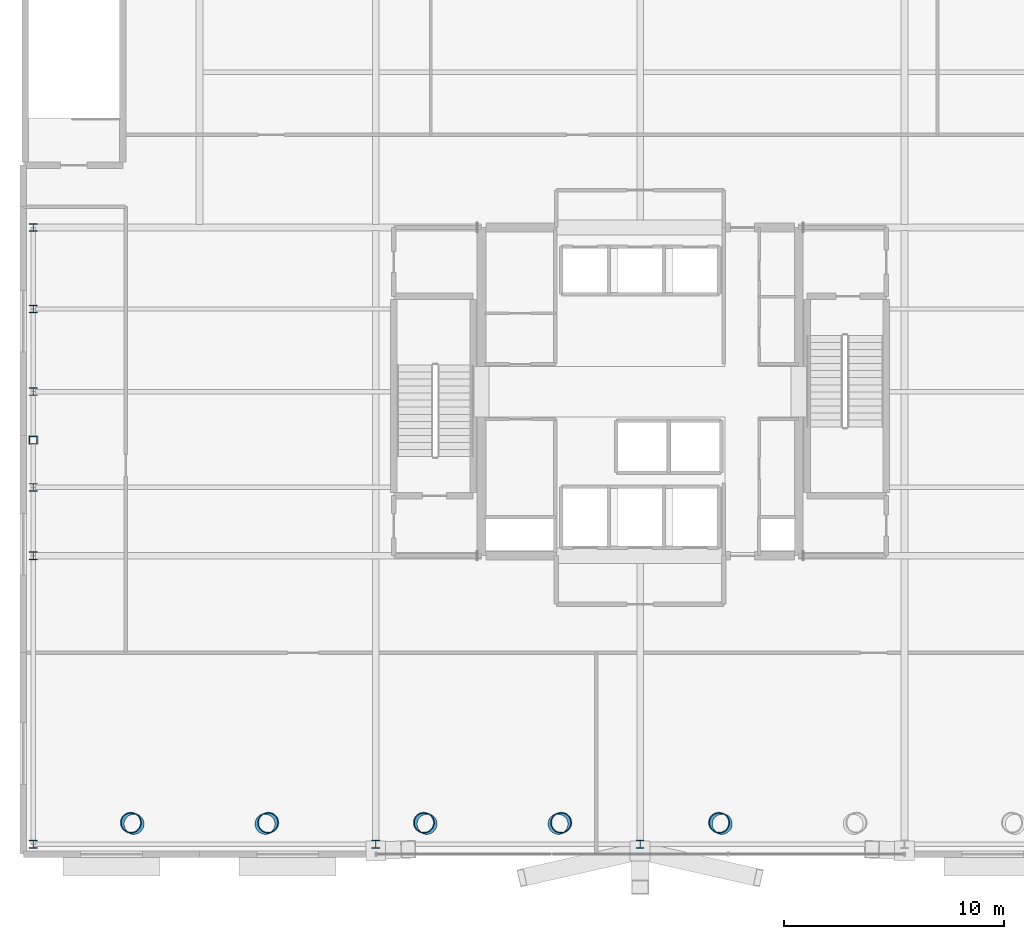
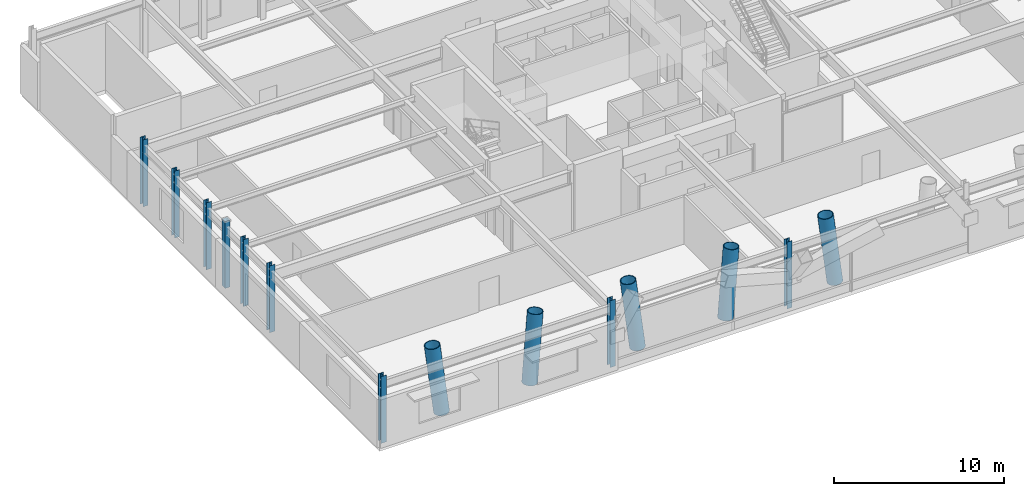
# One storey, part 1 of 21: 14 columns.
"""IFC4 building model written with IfcOpenShell, lengths in metres."""

from ifc_helpers import new_model, si_unit, direction, frame, origin, origin_2d, place, context, subcontext, project, spatial, hollow_rectangle, hollow_circle, i_section, extrude, material, material_profile, profile_set, type_object, element, save


model = new_model("IFC4")

# Units and contexts
model_context = context("Model", 3, precision=1e-05, world=origin(), true_north=direction((0.0, 1.0)))
body_context = subcontext(model_context, "Body", "Model", "MODEL_VIEW")
ifc_project = project(units=[si_unit("LENGTHUNIT", "METRE"), si_unit("AREAUNIT", "SQUARE_METRE"), si_unit("VOLUMEUNIT", "CUBIC_METRE"), si_unit("PLANEANGLEUNIT", "RADIAN"), si_unit("MASSUNIT", "GRAM", prefix="KILO")], contexts=[model_context])

# Site, building, storey
site_placement = place(None, origin())
site = spatial("IfcSite", under=ifc_project, at=site_placement, CompositionType="ELEMENT")
building_placement = place(site_placement, origin())
building = spatial("IfcBuilding", under=site, at=building_placement, Name="Veldorina Hangang Commons", CompositionType="ELEMENT")
storey_placement = place(building_placement, frame((0.0, 0.0, 19.60009765625)))
storey = spatial("IfcBuildingStorey", under=building, at=storey_placement, Name="L04", CompositionType="ELEMENT", Elevation=19.60009765625)

# Columns
ifc_material_1 = material(Name="Steel SM420-TMC", Category="steel")
ifc_material_profile_1 = material_profile(ifc_material_1, i_section(OverallWidth=0.35009765625, OverallDepth=0.35009765625, WebThickness=0.011962890625, FlangeThickness=0.01904296875, FilletRadius=0.01611328125, at=origin_2d()), Name="H-350x350x12x19")
ifc_profile_set_1 = profile_set([ifc_material_profile_1], Name="Steel SM420-TMC")
column_type_1 = type_object("IfcColumnType", Name="COL-H350", PredefinedType="COLUMN", material=ifc_profile_set_1)
for number, where, z_axis, x_axis, name in (
    (1, (4.449951171875, 3.449951171875, 0.0), (0.0, 0.0, 1.0), (1.0, 0.0, 0.0), "L04 structural column S1"),
    (2, (20.0, 3.449951171875, 0.0), (0.0, 0.0, 1.0), (1.0, 0.0, 0.0), "L04 structural column S3"),
    (3, (32.0, 3.449951171875, 0.0), (0.0, 0.0, 1.0), (1.0, 0.0, 0.0), "L04 structural column S4"),
    (4, (4.449951171875, 16.550048828125, 0.0), (0.0, 0.0, 1.0), (1.0, 0.0, 0.0), "L04 structural column W1"),
    (5, (4.449951171875, 19.64990234375, 0.0), (0.0, 0.0, 1.0), (1.0, 0.0, 0.0), "L04 structural column W2"),
    (6, (4.449951171875, 24.0, 0.0), (0.0, 0.0, 1.0), (1.0, 0.0, 0.0), "L04 structural column W3"),
    (7, (4.449951171875, 27.75, 0.0), (0.0, 0.0, 1.0), (1.0, 0.0, 0.0), "L04 structural column W4"),
    (8, (4.449951171875, 31.449951171875, 0.0), (0.0, 0.0, 1.0), (1.0, 0.0, 0.0), "L04 structural column W5"),
):
    element("IfcColumn", number, at=place(storey_placement, frame(where, z_axis=z_axis, x_axis=x_axis)), inside=storey, type_object=column_type_1, Name=name, PredefinedType="COLUMN", context=body_context, shape_type="SweptSolid", body=[
        extrude(i_section(OverallWidth=0.35009765625, OverallDepth=0.35009765625, WebThickness=0.011962890625, FlangeThickness=0.01904296875, FilletRadius=0.01611328125, at=origin_2d()), origin(), (0.0, 0.0, 1.0), 4.7998046875),
    ])
ifc_material_2 = material(Name="Steel SM355-TMC", Category="steel")
ifc_material_profile_2 = material_profile(ifc_material_2, hollow_rectangle(XDim=0.35009765625, YDim=0.35009765625, WallThickness=0.01611328125, at=origin_2d()), Name="SHS-350x350x16")
ifc_profile_set_2 = profile_set([ifc_material_profile_2], Name="Steel SM355-TMC")
column_type_2 = type_object("IfcColumnType", Name="COL-PIL-350", PredefinedType="PILASTER", material=ifc_profile_set_2)
column_placement = place(storey_placement, frame((4.449951171875, 21.800048828125, 0.0), z_axis=(0.0, 0.0, 1.0), x_axis=(1.0, 0.0, 0.0)))
element("IfcColumn", 9, at=column_placement, inside=storey, type_object=column_type_2, Name="L04 rationalist colonnade pilaster 3", PredefinedType="PILASTER", context=body_context, shape_type="SweptSolid", body=[
    extrude(hollow_rectangle(XDim=0.35009765625, YDim=0.35009765625, WallThickness=0.01611328125, at=origin_2d()), origin(), (0.0, 0.0, 1.0), 4.7998046875),
])
ifc_material_3 = material(Name="Steel SM490-TMC", Category="steel")
ifc_material_profile_3 = material_profile(ifc_material_3, hollow_circle(Radius=0.47509765625, WallThickness=0.044921875, at=origin_2d()), Name="CHS-950x45")
ifc_profile_set_3 = profile_set([ifc_material_profile_3], Name="Steel SM490-TMC")
column_type_3 = type_object("IfcColumnType", Name="COL-VC950", PredefinedType="COLUMN", material=ifc_profile_set_3)
for number, where, z_axis, x_axis, name in (
    (10, (9.007568359375, 4.373779296875, 0.0), (-0.10504594018, 0.046838665968, 0.993363724837), (-0.407238706506, -0.913321759252, 0.0), "L04 sculptural V-column VC-1 leg L"),
    (11, (14.992431640625, 4.373779296875, 0.0), (0.10504594018, 0.046838665968, 0.993363724837), (-0.407238706506, 0.913321759252, 0.0), "L04 sculptural V-column VC-1 leg R"),
    (12, (22.3076171875, 4.373779296875, 0.0), (-0.10504594018, 0.046838665968, 0.993363724837), (-0.407238706506, -0.913321759252, 0.0), "L04 sculptural V-column VC-2 leg L"),
    (13, (28.29248046875, 4.373779296875, 0.0), (0.10504594018, 0.046838665968, 0.993363724837), (-0.407238706506, 0.913321759252, 0.0), "L04 sculptural V-column VC-2 leg R"),
    (14, (35.70751953125, 4.373779296875, 0.0), (-0.10504594018, 0.046838665968, 0.993363724837), (-0.407238706506, -0.913321759252, 0.0), "L04 sculptural V-column VC-3 leg L"),
):
    element("IfcColumn", number, at=place(storey_placement, frame(where, z_axis=z_axis, x_axis=x_axis)), inside=storey, type_object=column_type_3, Name=name, PredefinedType="COLUMN", context=body_context, shape_type="SweptSolid", body=[
        extrude(hollow_circle(Radius=0.47509765625, WallThickness=0.044921875, at=origin_2d()), origin(), (0.0, 0.0, 1.0), 4.831787109375),
    ])

save(model, "model.ifc")
